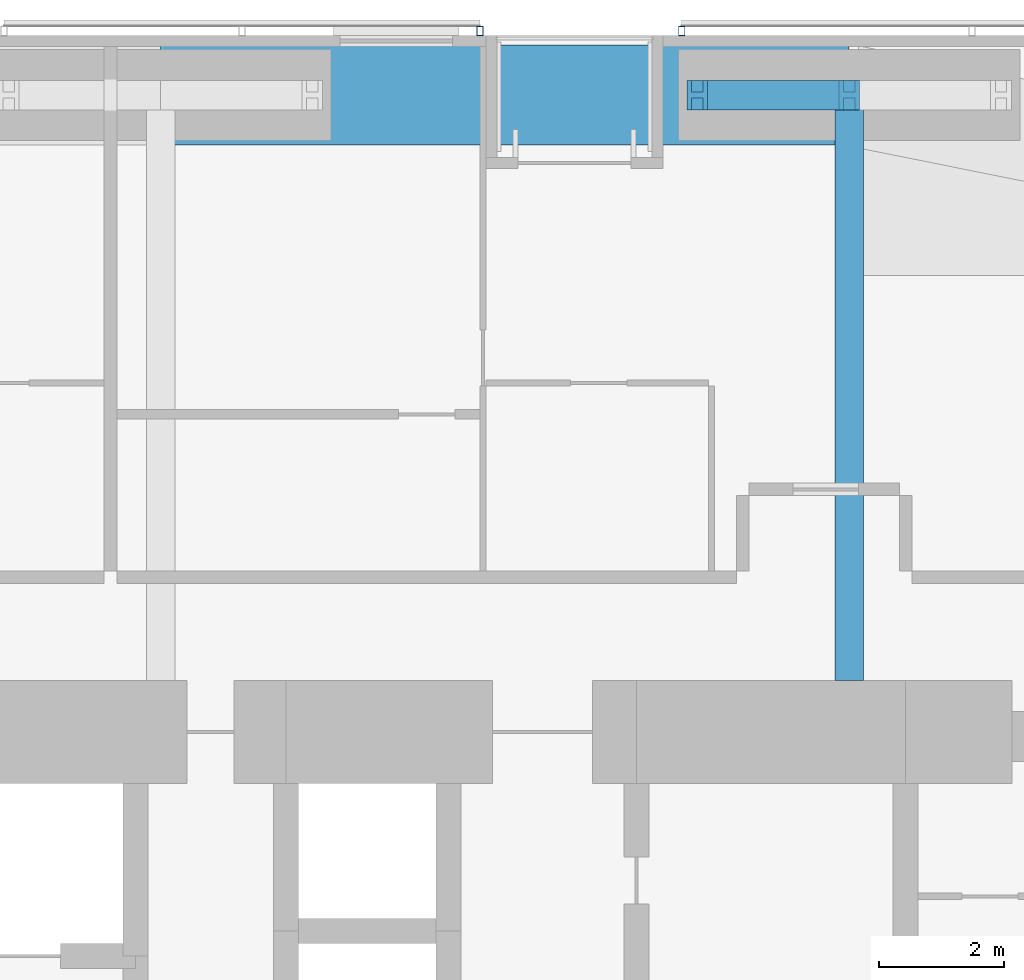
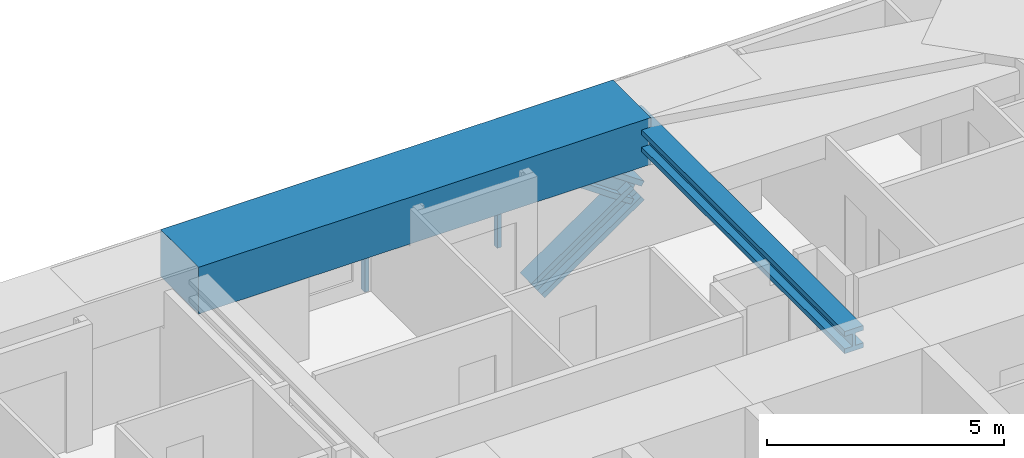
# One storey, part 13 of 23: 4 members, 2 beams, 2 elements without a shape of their own.
"""IFC4 building model written with IfcOpenShell, lengths in metres."""

from ifc_helpers import new_model, si_unit, direction, frame, origin, origin_2d, place, context, subcontext, project, spatial, rectangle, hollow_rectangle, i_section, extrude, material, material_profile, profile_set, type_object, element, aggregate, save


model = new_model("IFC4")

# Units and contexts
model_context = context("Model", 3, precision=1e-05, world=origin(), true_north=direction((0.0, 1.0)))
body_context = subcontext(model_context, "Body", "Model", "MODEL_VIEW")
ifc_project = project(units=[si_unit("LENGTHUNIT", "METRE"), si_unit("AREAUNIT", "SQUARE_METRE"), si_unit("VOLUMEUNIT", "CUBIC_METRE"), si_unit("PLANEANGLEUNIT", "RADIAN"), si_unit("MASSUNIT", "GRAM", prefix="KILO")], contexts=[model_context])

# Site, building, storey
site_placement = place(None, origin())
site = spatial("IfcSite", under=ifc_project, at=site_placement, CompositionType="ELEMENT")
building_placement = place(site_placement, origin())
building = spatial("IfcBuilding", under=site, at=building_placement, Name="Jalousie Tower", CompositionType="ELEMENT")
storey_placement = place(building_placement, frame((0.0, 0.0, 37.75)))
storey = spatial("IfcBuildingStorey", under=building, at=storey_placement, Name="L09", CompositionType="ELEMENT", Elevation=37.75)

# Beam
ifc_material_1 = material(Name="Steel ASTM A992 Grade 50", Category="steel")
ifc_material_profile_1 = material_profile(ifc_material_1, i_section(OverallWidth=0.45458984375, OverallDepth=0.569091796875, WebThickness=0.077880859375, FlangeThickness=0.124755859375, at=origin_2d()), Name="W14X730")
ifc_profile_set_1 = profile_set([ifc_material_profile_1], Name="Steel ASTM A992 Grade 50")
beam_type_1 = type_object("IfcBeamType", Name="LEAN COLLECTOR W14X730", PredefinedType="BEAM", material=ifc_profile_set_1)
beam_1_placement = place(storey_placement, frame((35.0, 37.050048828125, 2.825439453125), z_axis=(0.0, -1.0, 0.0), x_axis=(1.0, 0.0, 0.0)))
element("IfcBeam", 1, at=beam_1_placement, inside=storey, type_object=beam_type_1, Name="Lean collector under L10", PredefinedType="BEAM", context=body_context, shape_type="SweptSolid", body=[
    extrude(i_section(OverallWidth=0.45458984375, OverallDepth=0.569091796875, WebThickness=0.077880859375, FlangeThickness=0.124755859375, at=origin_2d()), origin(), (0.0, 0.0, 1.0), 9.35009765625),
])

# Members
ifc_material_2 = material(Name="Steel ASTM A992 Grade 50", Category="steel")
ifc_material_profile_2 = material_profile(ifc_material_2, i_section(OverallWidth=0.472412109375, OverallDepth=0.5791015625, WebThickness=0.094970703125, FlangeThickness=0.1298828125, at=origin_2d()), Name="W14X808")
ifc_profile_set_2 = profile_set([ifc_material_profile_2], Name="Steel ASTM A992 Grade 50")
member_type_1 = type_object("IfcMemberType", Name="PERIMETER BRACE W14X808", PredefinedType="BRACE", material=ifc_profile_set_2)
for number, where, z_axis, x_axis, name in (
    (2, (32.574951171875, 37.050048828125, -0.60009765625), (0.822800062329, 0.0, 0.568330940062), (0.0, 1.0, 0.0), "Perimeter brace 09 L09 part 1"),
    (3, (35.0, 37.050048828125, 1.074951171875), (-0.822800062329, 0.0, 0.568330940062), (0.0, -1.0, 0.0), "Perimeter brace 09 L09 part 4"),
):
    element("IfcMember", number, at=place(storey_placement, frame(where, z_axis=z_axis, x_axis=x_axis)), inside=storey, type_object=member_type_1, Name=name, PredefinedType="BRACE", context=body_context, shape_type="SweptSolid", body=[
        extrude(i_section(OverallWidth=0.472412109375, OverallDepth=0.5791015625, WebThickness=0.094970703125, FlangeThickness=0.1298828125, at=origin_2d()), origin(), (0.0, 0.0, 1.0), 2.947265625),
    ])

# Beam
ifc_material_3 = material(Name="Concrete f'c 40 MPa", Category="concrete")
ifc_material_profile_3 = material_profile(ifc_material_3, rectangle(XDim=1.60009765625, YDim=1.199951171875, at=origin_2d()), Name="RC 1600x1200")
ifc_profile_set_3 = profile_set([ifc_material_profile_3], Name="Concrete f'c 40 MPa")
beam_type_2 = type_object("IfcBeamType", Name="RC BEAM 1600x1200", PredefinedType="BEAM", material=ifc_profile_set_3)
beam_2_placement = place(storey_placement, frame((35.0, 37.050048828125, 2.75), z_axis=(-1.0, 0.0, 0.0), x_axis=(0.0, -1.0, 0.0)))
element("IfcBeam", 4, at=beam_2_placement, inside=storey, type_object=beam_type_2, Name="Edge band beam 09-10 under L10", PredefinedType="BEAM", context=body_context, shape_type="SweptSolid", body=[
    extrude(rectangle(XDim=1.60009765625, YDim=1.199951171875, at=origin_2d()), origin(), (0.0, 0.0, 1.0), 11.0),
])

# Curtain wall, member
ifc_material_4 = material(Name="Perforated aluminium sheet", Category="aluminium")
curtain_wall_type = type_object("IfcCurtainWallType", Name="SOLAR SCREEN SS-1", PredefinedType="USERDEFINED", material=ifc_material_4)
curtain_wall_1_placement = place(storey_placement, origin())
curtain_wall_1 = element("IfcCurtainWall", 5, at=curtain_wall_1_placement, inside=storey, type_object=curtain_wall_type, Name="Solar screen L09", ObjectType="SOLAR SCREEN SS-1", PredefinedType="USERDEFINED")
ifc_material_5 = material(Name="Steel ASTM A500 Grade C", Category="steel")
ifc_material_profile_4 = material_profile(ifc_material_5, hollow_rectangle(XDim=0.1015625, YDim=0.15234375, WallThickness=0.00634765625, at=origin_2d()), Name="HSS6X4X1/4")
ifc_profile_set_4 = profile_set([ifc_material_profile_4], Name="Steel ASTM A500 Grade C")
member_type_2 = type_object("IfcMemberType", Name="SOLAR SCREEN SS-1 MULLION", PredefinedType="MULLION", material=ifc_profile_set_4)
member_1_placement = place(storey_placement, frame((32.324951171875, 38.0712890625, -0.1201171875), z_axis=(0.0, 0.0, 1.0), x_axis=(-1.0, 0.0, 0.0)))
member_1 = element("IfcMember", 6, at=member_1_placement, type_object=member_type_2, Name="SS1 post 3", PredefinedType="MULLION", context=body_context, shape_type="SweptSolid", body=[
    extrude(hollow_rectangle(XDim=0.1015625, YDim=0.15234375, WallThickness=0.00634765625, at=origin_2d()), origin(), (0.0, 0.0, 1.0), 3.230224609375),
])
aggregate(curtain_wall_1, [member_1])

curtain_wall_2_placement = place(storey_placement, origin())
curtain_wall_2 = element("IfcCurtainWall", 7, at=curtain_wall_2_placement, inside=storey, type_object=curtain_wall_type, Name="Solar screen L09", ObjectType="SOLAR SCREEN SS-1", PredefinedType="USERDEFINED")
member_2_placement = place(storey_placement, frame((29.10009765625, 38.0712890625, -0.1201171875), z_axis=(0.0, 0.0, 1.0), x_axis=(-1.0, 0.0, 0.0)))
member_2 = element("IfcMember", 8, at=member_2_placement, type_object=member_type_2, Name="SS1 post 1", PredefinedType="MULLION", context=body_context, shape_type="SweptSolid", body=[
    extrude(hollow_rectangle(XDim=0.1015625, YDim=0.15234375, WallThickness=0.00634765625, at=origin_2d()), origin(), (0.0, 0.0, 1.0), 3.230224609375),
])
aggregate(curtain_wall_2, [member_2])

save(model, "model.ifc")
